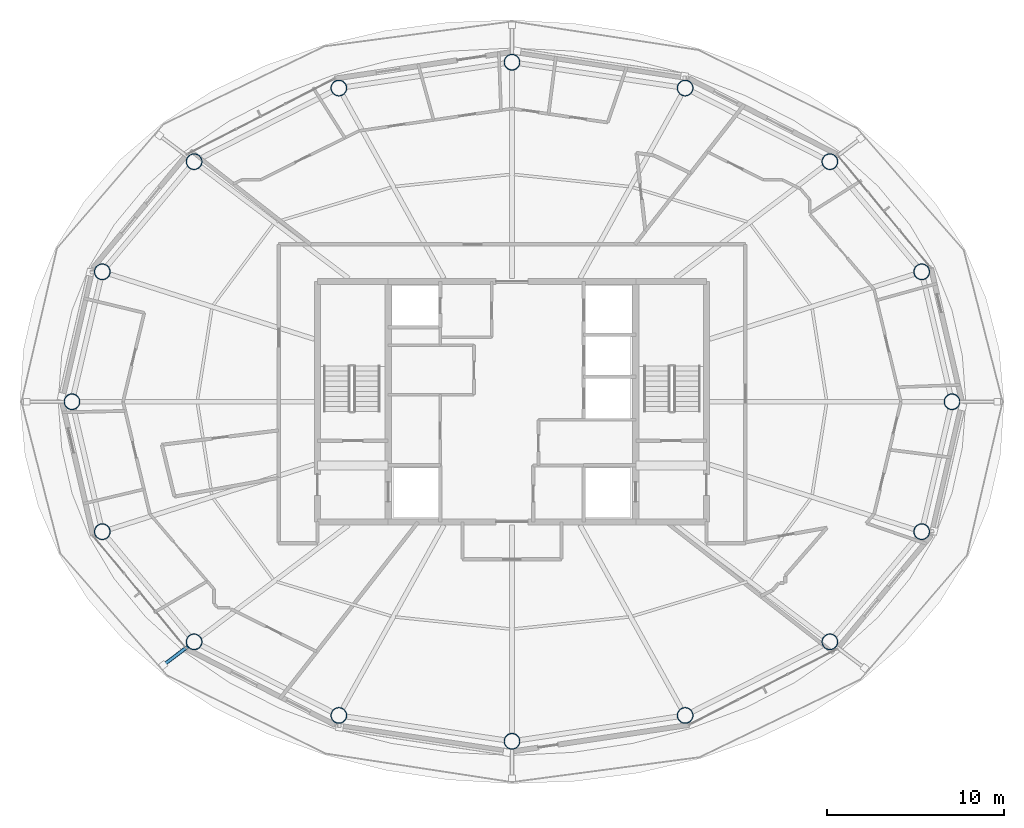
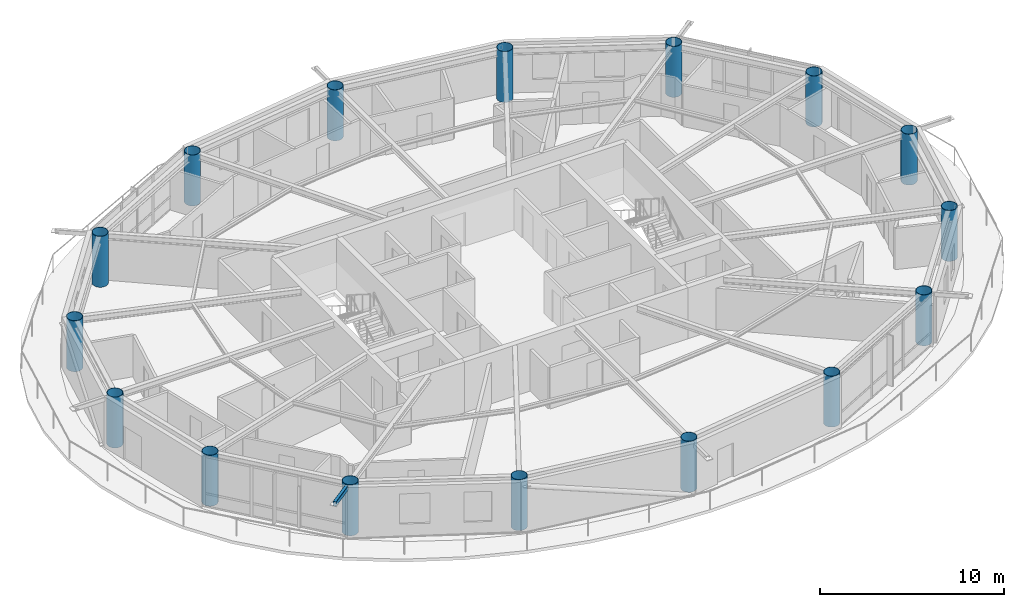
# One storey, part 1 of 22: 16 columns, 1 member.
"""IFC4 building model written with IfcOpenShell, lengths in metres."""

from ifc_helpers import new_model, si_unit, direction, frame, origin, origin_2d, place, context, subcontext, project, spatial, hollow_rectangle, hollow_circle, extrude, material, material_profile, profile_set, type_object, element, save


model = new_model("IFC4")

# Units and contexts
model_context = context("Model", 3, precision=1e-05, world=origin(), true_north=direction((0.0, 1.0)))
body_context = subcontext(model_context, "Body", "Model", "MODEL_VIEW")
ifc_project = project(units=[si_unit("LENGTHUNIT", "METRE"), si_unit("AREAUNIT", "SQUARE_METRE"), si_unit("VOLUMEUNIT", "CUBIC_METRE"), si_unit("PLANEANGLEUNIT", "RADIAN"), si_unit("MASSUNIT", "GRAM", prefix="KILO")], contexts=[model_context])

# Site, building, storey
site_placement = place(None, origin())
site = spatial("IfcSite", under=ifc_project, at=site_placement, CompositionType="ELEMENT")
building_placement = place(site_placement, origin())
building = spatial("IfcBuilding", under=site, at=building_placement, Name="Sarneth Arch Tower", CompositionType="ELEMENT")
storey_placement = place(building_placement, frame((0.0, 0.0, 305.39990234375)))
storey = spatial("IfcBuildingStorey", under=building, at=storey_placement, Name="L79", CompositionType="ELEMENT", Elevation=305.39990234375)

# Columns
ifc_material_1 = material(Name="Steel S355", Category="steel")
ifc_material_profile_1 = material_profile(ifc_material_1, hollow_circle(Radius=0.449951171875, WallThickness=0.02490234375, at=origin_2d()), Name="CHS900x25")
ifc_profile_set_1 = profile_set([ifc_material_profile_1], Name="Steel S355")
column_type = type_object("IfcColumnType", Name="COL-MEGA-900", PredefinedType="COLUMN", material=ifc_profile_set_1)
for number, where, z_axis, x_axis, name in (
    (1, (72.88330078125, 42.0, 0.0), (0.0, 0.0, 1.0), (1.0, 0.0, 0.0), "L79 Perimeter mega-column M01"),
    (2, (71.1689453125, 49.347412109375, 0.0), (0.0, 0.0, 1.0), (1.0, 0.0, 0.0), "L79 Perimeter mega-column M02"),
    (3, (65.975341796875, 55.576416015625, 0.0), (0.0, 0.0, 1.0), (1.0, 0.0, 0.0), "L79 Perimeter mega-column M03"),
    (4, (57.790771484375, 59.738525390625, 0.0), (0.0, 0.0, 1.0), (1.0, 0.0, 0.0), "L79 Perimeter mega-column M04"),
    (5, (48.0, 61.199951171875, 0.0), (0.0, 0.0, 1.0), (1.0, 0.0, 0.0), "L79 Perimeter mega-column M05"),
    (6, (38.209228515625, 59.738525390625, 0.0), (0.0, 0.0, 1.0), (1.0, 0.0, 0.0), "L79 Perimeter mega-column M06"),
    (7, (30.024658203125, 55.576416015625, 0.0), (0.0, 0.0, 1.0), (1.0, 0.0, 0.0), "L79 Perimeter mega-column M07"),
    (8, (24.8310546875, 49.347412109375, 0.0), (0.0, 0.0, 1.0), (1.0, 0.0, 0.0), "L79 Perimeter mega-column M08"),
    (9, (23.11669921875, 42.0, 0.0), (0.0, 0.0, 1.0), (1.0, 0.0, 0.0), "L79 Perimeter mega-column M09"),
    (10, (24.8310546875, 34.652587890625, 0.0), (0.0, 0.0, 1.0), (1.0, 0.0, 0.0), "L79 Perimeter mega-column M10"),
    (11, (30.024658203125, 28.423583984375, 0.0), (0.0, 0.0, 1.0), (1.0, 0.0, 0.0), "L79 Perimeter mega-column M11"),
    (12, (38.209228515625, 24.261474609375, 0.0), (0.0, 0.0, 1.0), (1.0, 0.0, 0.0), "L79 Perimeter mega-column M12"),
    (13, (48.0, 22.800048828125, 0.0), (0.0, 0.0, 1.0), (1.0, 0.0, 0.0), "L79 Perimeter mega-column M13"),
    (14, (57.790771484375, 24.261474609375, 0.0), (0.0, 0.0, 1.0), (1.0, 0.0, 0.0), "L79 Perimeter mega-column M14"),
    (15, (65.975341796875, 28.423583984375, 0.0), (0.0, 0.0, 1.0), (1.0, 0.0, 0.0), "L79 Perimeter mega-column M15"),
    (16, (71.1689453125, 34.652587890625, 0.0), (0.0, 0.0, 1.0), (1.0, 0.0, 0.0), "L79 Perimeter mega-column M16"),
):
    element("IfcColumn", number, at=place(storey_placement, frame(where, z_axis=z_axis, x_axis=x_axis)), inside=storey, type_object=column_type, Name=name, PredefinedType="COLUMN", context=body_context, shape_type="SweptSolid", body=[
        extrude(hollow_circle(Radius=0.449951171875, WallThickness=0.02490234375, at=origin_2d()), origin(), (0.0, 0.0, 1.0), 3.3701171875),
    ])

# Member
ifc_material_2 = material(Name="Steel S355", Category="steel")
ifc_material_profile_2 = material_profile(ifc_material_2, hollow_rectangle(XDim=0.199951171875, YDim=0.300048828125, WallThickness=0.012451171875, InnerFilletRadius=0.018798828125, OuterFilletRadius=0.03125, at=origin_2d()), Name="RHS300x200x12.5")
ifc_profile_set_2 = profile_set([ifc_material_profile_2], Name="Steel S355")
member_type = type_object("IfcMemberType", Name="MEM-CANT-STRUT", PredefinedType="STRUT", material=ifc_profile_set_2)
member_placement = place(storey_placement, frame((29.665771484375, 28.15234375, 3.210205078125), z_axis=(-0.797988961365, -0.602672064676, 0.0), x_axis=(0.602672064676, -0.797988961365, 0.0)))
element("IfcMember", 17, at=member_placement, inside=storey, type_object=member_type, Name="L79 Balcony cantilever bracket 11", PredefinedType="STRUT", context=body_context, shape_type="SweptSolid", body=[
    extrude(hollow_rectangle(XDim=0.199951171875, YDim=0.300048828125, WallThickness=0.012451171875, InnerFilletRadius=0.018798828125, OuterFilletRadius=0.03125, at=origin_2d()), origin(), (0.0, 0.0, 1.0), 1.737548828125),
])

save(model, "model.ifc")
